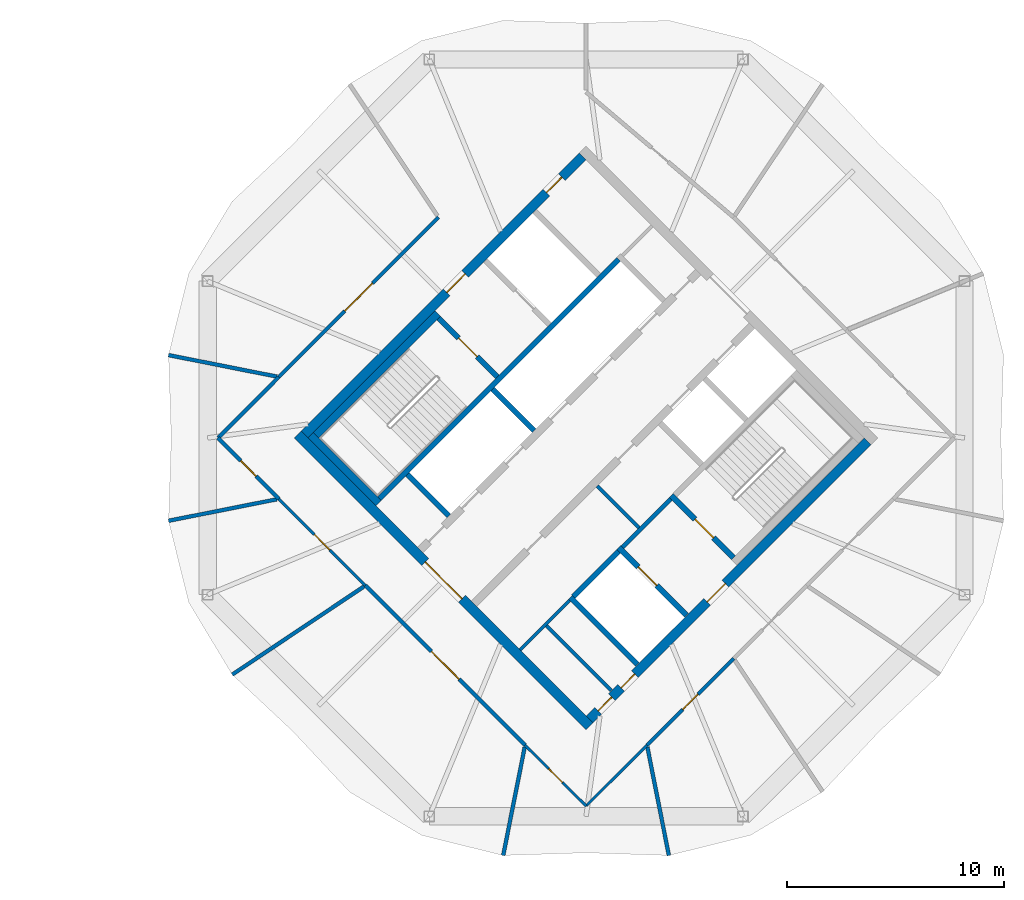
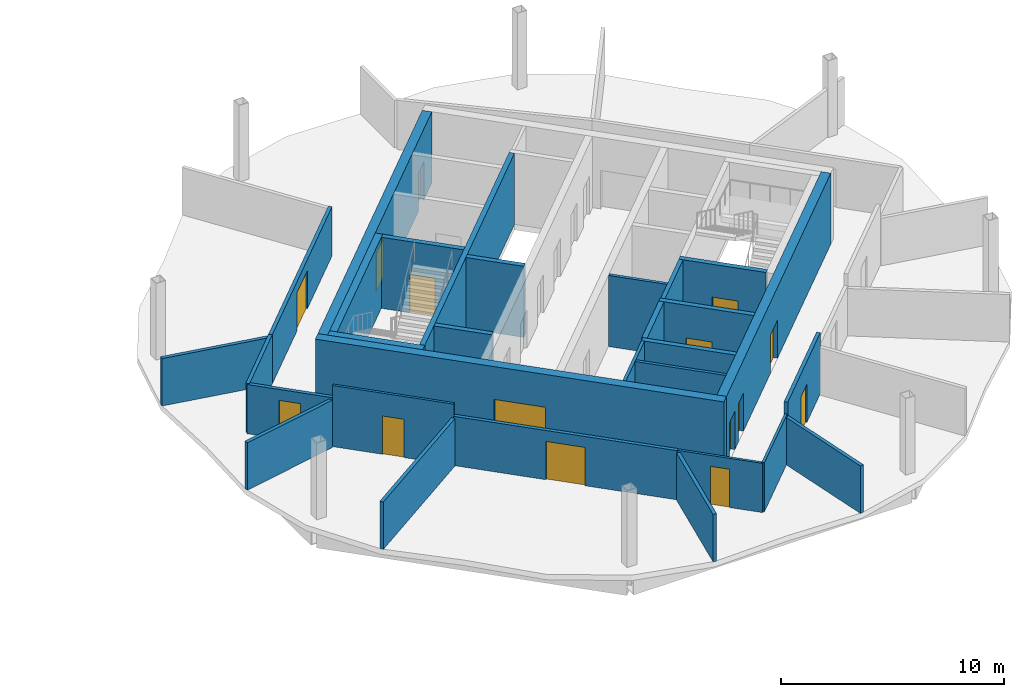
# One storey, part 7 of 10: 30 walls, 15 doors, 15 openings.
"""IFC4 building model written with IfcOpenShell, lengths in metres."""

import ifcopenshell
import ifcopenshell.guid

model = None  # the IFC model being written
_history = None  # IfcOwnerHistory: only IFC2X3 demands one
_inside = {}  # id of a spatial element -> (the spatial element, [elements in it])
_under = {}  # id of a project, library or spatial element -> (it, [spatial elements below it])
_declared = {}  # id of a project -> (the project, [libraries it declares])
_typed = {}  # id of a type object -> (the type object, [elements of that type])
_made_of = {}  # id of a material, layer set ... -> (it, [elements and type objects made of it])


def new_model(schema):
    """Start an empty IFC model of exactly this schema.

    Asked for "IFC4X3", IfcOpenShell would pick the latest addendum, in which some entities
    have other attributes; the version numbers below select the first issue.
    IFC2X3 requires an IfcOwnerHistory on every rooted entity: one is made here for all.
    """
    global model, _history
    if schema == "IFC4X3":
        model = ifcopenshell.file(schema_version=(4, 3, 0, 0))
    else:
        model = ifcopenshell.file(schema=schema)
    _inside.clear()
    _under.clear()
    _declared.clear()
    _typed.clear()
    _made_of.clear()
    _history = None
    if model.schema == "IFC2X3":
        org = make("IfcOrganization", Name="unknown")
        user = make(
            "IfcPersonAndOrganization",
            ThePerson=make("IfcPerson", FamilyName="unknown"),
            TheOrganization=org,
        )
        app = make(
            "IfcApplication",
            ApplicationDeveloper=org,
            Version="unknown",
            ApplicationFullName="unknown",
            ApplicationIdentifier="unknown",
        )
        _history = make(
            "IfcOwnerHistory",
            OwningUser=user,
            OwningApplication=app,
            ChangeAction="ADDED",
            CreationDate=0,
        )
    return model


def make(cls, **values):
    """One entity of the class cls with the attributes given. An attribute that is None is left unset."""
    return model.create_entity(
        cls, **{name: value for name, value in values.items() if value is not None}
    )


def rooted(cls, **values):
    """An entity with a GlobalId (a new one), such as an element, a storey or a relation."""
    return make(cls, GlobalId=ifcopenshell.guid.new(), OwnerHistory=_history, **values)


def si_unit(unit_type, name, prefix=None):
    """IfcSIUnit, for example si_unit("LENGTHUNIT", "METRE", prefix="MILLI")."""
    return make("IfcSIUnit", UnitType=unit_type, Prefix=prefix, Name=name)


def assignment(units):
    """IfcUnitAssignment: the units of a project."""
    return None if units is None else make("IfcUnitAssignment", Units=units)


def point(xyz):
    """IfcCartesianPoint."""
    return None if xyz is None else make("IfcCartesianPoint", Coordinates=xyz)


def direction(xyz):
    """IfcDirection."""
    return None if xyz is None else make("IfcDirection", DirectionRatios=xyz)


def frame(location, z_axis=None, x_axis=None):
    """IfcAxis2Placement3D, a coordinate frame: its origin and axes. An axis left out is left unset."""
    return make(
        "IfcAxis2Placement3D",
        Location=point(location),
        Axis=direction(z_axis),
        RefDirection=direction(x_axis),
    )


def frame_2d(location, x_axis=None):
    """IfcAxis2Placement2D, a coordinate frame in the plane: its origin and x axis."""
    return make(
        "IfcAxis2Placement2D", Location=point(location), RefDirection=direction(x_axis)
    )


def origin():
    """The frame at (0, 0, 0) with its axes left unset."""
    return frame((0.0, 0.0, 0.0))


def place(relative_to, where):
    """IfcLocalPlacement: puts the frame where relative to a parent placement (None: the world)."""
    return make(
        "IfcLocalPlacement", PlacementRelTo=relative_to, RelativePlacement=where
    )


def context(
    kind, dimensions, precision=None, world=None, true_north=None, identifier=None
):
    """IfcGeometricRepresentationContext, for example the 3D "Model" context."""
    return make(
        "IfcGeometricRepresentationContext",
        ContextIdentifier=identifier,
        ContextType=kind,
        CoordinateSpaceDimension=dimensions,
        Precision=precision,
        WorldCoordinateSystem=world,
        TrueNorth=true_north,
    )


def subcontext(parent, identifier, kind, view, scale=None):
    """IfcGeometricRepresentationSubContext, for example "Body" below "Model"."""
    return make(
        "IfcGeometricRepresentationSubContext",
        ContextIdentifier=identifier,
        ContextType=kind,
        ParentContext=parent,
        TargetScale=scale,
        TargetView=view,
    )


def project(units=None, contexts=None):
    """IfcProject with its units and contexts."""
    return rooted(
        "IfcProject",
        Name="project",
        RepresentationContexts=contexts,
        UnitsInContext=assignment(units),
    )


def spatial(cls, under=None, at=None, **own):
    """A site, building, storey or space (cls), placed at a placement, below another one or the project."""
    s = rooted(cls, ObjectPlacement=at, **own)
    if under is not None:
        _under.setdefault(under.id(), (under, []))[1].append(s)
    return s


def profile(cls, at=None, kind="AREA", **sizes):
    """A parametric profile (cls). Its sizes go by their IFC names, for example OverallWidth=200.0."""
    return make(cls, ProfileType=kind, Position=at, **sizes)


def rectangle(**sizes):
    """IfcRectangleProfileDef."""
    return profile("IfcRectangleProfileDef", **sizes)


def extrude(swept, where, along, depth):
    """IfcExtrudedAreaSolid: the profile swept, set in the frame where, extruded along a direction by depth."""
    return make(
        "IfcExtrudedAreaSolid",
        SweptArea=swept,
        Position=where,
        ExtrudedDirection=direction(along),
        Depth=depth,
    )


def shape(context_of_items, identifier, shape_type, items):
    """IfcShapeRepresentation: the items that make up one representation, for example the "Body"."""
    return make(
        "IfcShapeRepresentation",
        ContextOfItems=context_of_items,
        RepresentationIdentifier=identifier,
        RepresentationType=shape_type,
        Items=items,
    )


def material(Name=None, Category=None):
    """IfcMaterial."""
    return make("IfcMaterial", Name=Name, Category=Category)


def layer(
    of_material, thickness, ventilated=None, Name=None, Category=None, Priority=None
):
    """IfcMaterialLayer: one layer of a wall or slab, of a material (None: an air gap)."""
    return make(
        "IfcMaterialLayer",
        Material=of_material,
        LayerThickness=thickness,
        IsVentilated=ventilated,
        Name=Name,
        Category=Category,
        Priority=Priority,
    )


def layer_set(layers, Name=None):
    """IfcMaterialLayerSet."""
    return make("IfcMaterialLayerSet", MaterialLayers=layers, LayerSetName=Name)


def made_of(thing, what):
    """Note that an element or type object is made of a material, layer set ...; save() writes the relation."""
    if what is not None:
        _made_of.setdefault(what.id(), (what, []))[1].append(thing)
    return thing


def type_object(cls, material=None, **own):
    """A type object (cls), such as IfcWallType, which elements share."""
    return made_of(rooted(cls, **own), material)


def element(
    cls,
    number,
    at=None,
    inside=None,
    cuts=None,
    type_object=None,
    material=None,
    context=None,
    identifier="Body",
    shape_type=None,
    held_by="IfcProductDefinitionShape",
    body=None,
    shapes=None,
    **own,
):
    """One element of the class cls, such as IfcWall. Its Tag is "e" and its number.

    at: its placement. inside: the storey or other place that contains it. cuts: it is an
    opening in that element (IfcRelVoidsElement). A single representation is given by context,
    identifier, shape_type and body (its items); several are given by shapes. held_by: the class
    of the entity that holds the representations. save() writes the other relations.
    """
    e = rooted(cls, Tag="e%d" % number, ObjectPlacement=at, **own)
    if body is not None:
        shapes = [shape(context, identifier, shape_type, body)]
    if shapes is not None:
        e.Representation = make(held_by, Representations=shapes)
    if inside is not None:
        _inside.setdefault(inside.id(), (inside, []))[1].append(e)
    if cuts is not None:
        rooted(
            "IfcRelVoidsElement", RelatingBuildingElement=cuts, RelatedOpeningElement=e
        )
    if type_object is not None:
        _typed.setdefault(type_object.id(), (type_object, []))[1].append(e)
    return made_of(e, material)


def fill(opening, filler):
    """IfcRelFillsElement: the door or window that sits in an opening."""
    return rooted(
        "IfcRelFillsElement",
        RelatingOpeningElement=opening,
        RelatedBuildingElement=filler,
    )


def aggregate(whole, parts):
    """IfcRelAggregates: a whole, such as a stair, and the parts it consists of."""
    return rooted("IfcRelAggregates", RelatingObject=whole, RelatedObjects=parts)


def save(model, path):
    """Write the relations noted so far, then the file.

    IfcRelAggregates (storeys below a building ...), IfcRelContainedInSpatialStructure (elements
    in a storey), IfcRelDefinesByType, IfcRelAssociatesMaterial and IfcRelDeclares: one each for
    every whole, place, type object, material and project.
    """
    for whole, parts in _under.values():
        aggregate(whole, parts)
    for where, things in _inside.values():
        rooted(
            "IfcRelContainedInSpatialStructure",
            RelatedElements=things,
            RelatingStructure=where,
        )
    for kind, things in _typed.values():
        rooted("IfcRelDefinesByType", RelatedObjects=things, RelatingType=kind)
    for what, things in _made_of.values():
        rooted("IfcRelAssociatesMaterial", RelatedObjects=things, RelatingMaterial=what)
    for by, libraries in _declared.values():
        rooted("IfcRelDeclares", RelatingContext=by, RelatedDefinitions=libraries)
    model.write(path)


model = new_model("IFC4")

# Units and contexts
model_context = context("Model", 3, precision=1e-05, world=origin(), true_north=direction((0.0, 1.0)))
body_context = subcontext(model_context, "Body", "Model", "MODEL_VIEW")
ifc_project = project(units=[si_unit("LENGTHUNIT", "METRE"), si_unit("AREAUNIT", "SQUARE_METRE"), si_unit("VOLUMEUNIT", "CUBIC_METRE"), si_unit("PLANEANGLEUNIT", "RADIAN"), si_unit("MASSUNIT", "GRAM", prefix="KILO")], contexts=[model_context])

# Site, building, storey
site_placement = place(None, origin())
site = spatial("IfcSite", under=ifc_project, at=site_placement, CompositionType="ELEMENT")
building_placement = place(site_placement, origin())
building = spatial("IfcBuilding", under=site, at=building_placement, Name="Ogive Gate Towers", CompositionType="ELEMENT")
storey_placement = place(building_placement, frame((0.0, 0.0, 260.39990234375)))
storey = spatial("IfcBuildingStorey", under=building, at=storey_placement, Name="L61", CompositionType="ELEMENT", Elevation=260.39990234375)

# Walls
ifc_material_1 = material(Name="Gypsum board acoustic partition")
ifc_layer_1 = layer(ifc_material_1, 0.175048828125)
ifc_layer_set_1 = layer_set([ifc_layer_1], Name="Acoustic partition 175")
wall_type_1 = type_object("IfcWallType", Name="Acoustic partition 175", PredefinedType="PARTITIONING", material=ifc_layer_set_1)
for number, where, z_axis, x_axis, name in (
    (1, (16.775390625, 3.814697265625, 0.0), (0.0, 0.0, 1.0), (0.980874659821, -0.194640442152, 0.0), "Partition T2-L61-005"),
    (2, (16.775390625, -3.814697265625, 0.0), (0.0, 0.0, 1.0), (0.980874659821, 0.194640442152, 0.0), "Partition T2-L61-006"),
):
    element("IfcWall", number, at=place(storey_placement, frame(where, z_axis=z_axis, x_axis=x_axis)), inside=storey, type_object=wall_type_1, Name=name, PredefinedType="PARTITIONING", context=body_context, shape_type="SweptSolid", body=[
        extrude(rectangle(XDim=5.09130859375, YDim=0.175048828125, at=frame_2d((2.545654296875, 0.0))), origin(), (0.0, 0.0, 1.0), 2.60009765625),
    ])
wall_1_placement = place(storey_placement, frame((19.708740234375, -10.896484375, 0.0), z_axis=(0.0, 0.0, 1.0), x_axis=(0.83120450459, 0.55596678997, 0.0)))
element("IfcWall", 3, at=wall_1_placement, inside=storey, type_object=wall_type_1, Name="Partition T2-L61-007", PredefinedType="PARTITIONING", context=body_context, shape_type="SweptSolid", body=[
    extrude(rectangle(XDim=7.291259765625, YDim=0.175048828125, at=frame_2d((3.6455078125, 0.0))), origin(), (0.0, 0.0, 1.0), 2.60009765625),
])
for number, where, z_axis, x_axis, name in (
    (4, (32.185302734375, -19.224609375, 0.0), (0.0, 0.0, 1.0), (0.194640442152, 0.980874659821, 0.0), "Partition T2-L61-008"),
    (5, (39.814697265625, -19.224609375, 0.0), (0.0, 0.0, 1.0), (-0.194640442152, 0.980874659821, 0.0), "Partition T2-L61-009"),
):
    element("IfcWall", number, at=place(storey_placement, frame(where, z_axis=z_axis, x_axis=x_axis)), inside=storey, type_object=wall_type_1, Name=name, PredefinedType="PARTITIONING", context=body_context, shape_type="SweptSolid", body=[
        extrude(rectangle(XDim=5.09130859375, YDim=0.175048828125, at=frame_2d((2.545654296875, 0.0))), origin(), (0.0, 0.0, 1.0), 2.60009765625),
    ])

# Wall, opening, door
wall_2_placement = place(storey_placement, frame((29.205810546875, 10.157958984375, 0.0), z_axis=(0.0, 0.0, 1.0), x_axis=(-0.707071553548, -0.70714200707, 0.0)))
wall_2 = element("IfcWall", 6, at=wall_2_placement, inside=storey, type_object=wall_type_1, Name="Partition T2-L61-019", PredefinedType="PARTITIONING", context=body_context, shape_type="SweptSolid", body=[
    extrude(rectangle(XDim=10.395751953125, YDim=0.175048828125, at=frame_2d((5.19775390625, 0.0))), origin(), (0.0, 0.0, 1.0), 2.7001953125),
])
opening_1_placement = place(wall_2_placement, frame((4.298095703125, 0.0, 0.0)))
opening_1 = element("IfcOpeningElement", 7, at=opening_1_placement, cuts=wall_2, Name="Opening T2-L61-D06", PredefinedType="OPENING", context=body_context, shape_type="SweptSolid", body=[
    extrude(rectangle(XDim=1.800048828125, YDim=2.10009765625, at=frame_2d((0.89990234375, 1.050048828125))), frame((0.0, 0.09765625, 0.0), z_axis=(0.0, -1.0, 0.0), x_axis=(1.0, 0.0, 0.0)), (0.0, 0.0, 1.0), 0.195068359375),
])
ifc_material_2 = material(Name="Timber door", Category="wood")
door_type_1 = type_object("IfcDoorType", Name="Door pair 1800", OperationType="NOTDEFINED", PredefinedType="DOOR", material=ifc_material_2)
door_1_placement = place(opening_1_placement, origin())
door_1 = element("IfcDoor", 8, at=door_1_placement, inside=storey, type_object=door_type_1, Name="Door T2-L61-D06", OperationType="DOUBLE_DOOR_DOUBLE_SWING", OverallHeight=2.10009765625, OverallWidth=1.800048828125, PredefinedType="DOOR", context=body_context, shape_type="SweptSolid", body=[
    extrude(rectangle(XDim=1.800048828125, YDim=2.10009765625, at=frame_2d((0.89990234375, 1.050048828125))), frame((0.0, 0.02490234375, 0.0), z_axis=(0.0, -1.0, 0.0), x_axis=(1.0, 0.0, 0.0)), (0.0, 0.0, 1.0), 0.050048828125),
])
fill(opening_1, door_1)

wall_3_placement = place(storey_placement, frame((19.0576171875, 0.0, 0.0), z_axis=(0.0, 0.0, 1.0), x_axis=(0.705966114567, -0.708245610705, 0.0)))
wall_3 = element("IfcWall", 9, at=wall_3_placement, inside=storey, type_object=wall_type_1, Name="Partition T2-L61-020", PredefinedType="PARTITIONING", context=body_context, shape_type="SweptSolid", body=[
    extrude(rectangle(XDim=3.962890625, YDim=0.175048828125, at=frame_2d((1.9814453125, 0.0))), origin(), (0.0, 0.0, 1.0), 2.7001953125),
])
opening_2_placement = place(wall_3_placement, frame((1.48095703125, 0.0, 0.0)))
opening_2 = element("IfcOpeningElement", 10, at=opening_2_placement, cuts=wall_3, Name="Opening T2-L61-D07", PredefinedType="OPENING", context=body_context, shape_type="SweptSolid", body=[
    extrude(rectangle(XDim=1.0, YDim=2.10009765625, at=frame_2d((0.5, 1.050048828125))), frame((0.0, 0.09765625, 0.0), z_axis=(0.0, -1.0, 0.0), x_axis=(1.0, 0.0, 0.0)), (0.0, 0.0, 1.0), 0.195068359375),
])
door_type_2 = type_object("IfcDoorType", Name="Door 1000", OperationType="NOTDEFINED", PredefinedType="DOOR", material=ifc_material_2)
door_2_placement = place(opening_2_placement, origin())
door_2 = element("IfcDoor", 11, at=door_2_placement, inside=storey, type_object=door_type_2, Name="Door T2-L61-D07", OperationType="SINGLE_SWING_RIGHT", OverallHeight=2.10009765625, OverallWidth=1.0, PredefinedType="DOOR", context=body_context, shape_type="SweptSolid", body=[
    extrude(rectangle(XDim=1.0, YDim=2.10009765625, at=frame_2d((0.5, 1.050048828125))), frame((0.0, 0.02490234375, 0.0), z_axis=(0.0, -1.0, 0.0), x_axis=(1.0, 0.0, 0.0)), (0.0, 0.0, 1.0), 0.050048828125),
])
fill(opening_2, door_2)

# Wall
wall_4_placement = place(storey_placement, frame((21.855224609375, 2.806640625, 0.0), z_axis=(0.0, 0.0, 1.0), x_axis=(-0.705966114567, -0.708245610705, 0.0)))
element("IfcWall", 12, at=wall_4_placement, inside=storey, type_object=wall_type_1, Name="Partition T2-L61-021", PredefinedType="PARTITIONING", context=body_context, shape_type="SweptSolid", body=[
    extrude(rectangle(XDim=3.962890625, YDim=0.175048828125, at=frame_2d((1.9814453125, 0.0))), origin(), (0.0, 0.0, 1.0), 2.7001953125),
])

# Wall, opening, door
wall_5_placement = place(storey_placement, frame((25.842041015625, -6.794189453125, 0.0), z_axis=(0.0, 0.0, 1.0), x_axis=(0.70714200707, -0.707071553548, 0.0)))
wall_5 = element("IfcWall", 13, at=wall_5_placement, inside=storey, type_object=wall_type_1, Name="Partition T2-L61-023", PredefinedType="PARTITIONING", context=body_context, shape_type="SweptSolid", body=[
    extrude(rectangle(XDim=10.395751953125, YDim=0.175048828125, at=frame_2d((5.19775390625, 0.0))), origin(), (0.0, 0.0, 1.0), 2.7001953125),
])
opening_3_placement = place(wall_5_placement, frame((4.298095703125, 0.0, 0.0)))
opening_3 = element("IfcOpeningElement", 14, at=opening_3_placement, cuts=wall_5, Name="Opening T2-L61-D09", PredefinedType="OPENING", context=body_context, shape_type="SweptSolid", body=[
    extrude(rectangle(XDim=1.800048828125, YDim=2.10009765625, at=frame_2d((0.89990234375, 1.050048828125))), frame((0.0, 0.09765625, 0.0), z_axis=(0.0, -1.0, 0.0), x_axis=(1.0, 0.0, 0.0)), (0.0, 0.0, 1.0), 0.195068359375),
])
door_3_placement = place(opening_3_placement, origin())
door_3 = element("IfcDoor", 15, at=door_3_placement, inside=storey, type_object=door_type_1, Name="Door T2-L61-D09", OperationType="DOUBLE_DOOR_DOUBLE_SWING", OverallHeight=2.10009765625, OverallWidth=1.800048828125, PredefinedType="DOOR", context=body_context, shape_type="SweptSolid", body=[
    extrude(rectangle(XDim=1.800048828125, YDim=2.10009765625, at=frame_2d((0.89990234375, 1.050048828125))), frame((0.0, 0.02490234375, 0.0), z_axis=(0.0, -1.0, 0.0), x_axis=(1.0, 0.0, 0.0)), (0.0, 0.0, 1.0), 0.050048828125),
])
fill(opening_3, door_3)

wall_6_placement = place(storey_placement, frame((38.806640625, -14.144775390625, 0.0), z_axis=(0.0, 0.0, 1.0), x_axis=(0.707171723871, 0.707041832537, 0.0)))
wall_6 = element("IfcWall", 16, at=wall_6_placement, inside=storey, type_object=wall_type_1, Name="Partition T2-L61-026", PredefinedType="PARTITIONING", context=body_context, shape_type="SweptSolid", body=[
    extrude(rectangle(XDim=5.638671875, YDim=0.175048828125, at=frame_2d((2.8193359375, 0.0))), origin(), (0.0, 0.0, 1.0), 3.35009765625),
])
opening_4_placement = place(wall_6_placement, frame((2.319091796875, 0.0, 0.0)))
opening_4 = element("IfcOpeningElement", 17, at=opening_4_placement, cuts=wall_6, Name="Opening T2-L61-D11", PredefinedType="OPENING", context=body_context, shape_type="SweptSolid", body=[
    extrude(rectangle(XDim=1.0, YDim=2.10009765625, at=frame_2d((0.5, 1.050048828125))), frame((0.0, 0.09765625, 0.0), z_axis=(0.0, -1.0, 0.0), x_axis=(1.0, 0.0, 0.0)), (0.0, 0.0, 1.0), 0.195068359375),
])
door_4_placement = place(opening_4_placement, origin())
door_4 = element("IfcDoor", 18, at=door_4_placement, inside=storey, type_object=door_type_2, Name="Door T2-L61-D11", OperationType="SINGLE_SWING_RIGHT", OverallHeight=2.10009765625, OverallWidth=1.0, PredefinedType="DOOR", context=body_context, shape_type="SweptSolid", body=[
    extrude(rectangle(XDim=1.0, YDim=2.10009765625, at=frame_2d((0.5, 1.050048828125))), frame((0.0, 0.02490234375, 0.0), z_axis=(0.0, -1.0, 0.0), x_axis=(1.0, 0.0, 0.0)), (0.0, 0.0, 1.0), 0.050048828125),
])
fill(opening_4, door_4)

# Wall
ifc_material_3 = material(Name="Masonry blockwork", Category="masonry")
ifc_layer_2 = layer(ifc_material_3, 0.199951171875)
ifc_layer_set_2 = layer_set([ifc_layer_2], Name="Blockwork wall 200 mm")
wall_type_2 = type_object("IfcWallType", Name="Blockwork wall 200 mm", PredefinedType="PARTITIONING", material=ifc_layer_set_2)
wall_7_placement = place(storey_placement, frame((37.679443359375, -5.0380859375, 0.0), z_axis=(0.0, 0.0, 1.0), x_axis=(0.707106781187, 0.707106781187, 0.0)))
element("IfcWall", 19, at=wall_7_placement, inside=storey, type_object=wall_type_2, Name="T2 L61 Blockwork wall 200 mm", PredefinedType="PARTITIONING", context=body_context, shape_type="SweptSolid", body=[
    extrude(rectangle(XDim=3.14990234375, YDim=0.199951171875, at=frame_2d((1.574951171875, 0.0))), origin(), (0.0, 0.0, 1.0), 3.900146484375),
])

# Wall, openings, doors
ifc_material_4 = material(Name="Concrete C60/75", Category="concrete")
ifc_layer_3 = layer(ifc_material_4, 0.449951171875)
ifc_layer_set_3 = layer_set([ifc_layer_3], Name="Core wall 450 mm")
wall_type_3 = type_object("IfcWallType", Name="Core wall 450 mm", PredefinedType="SHEAR", material=ifc_layer_set_3)
wall_8_placement = place(storey_placement, frame((36.1591796875, -12.957763671875, 0.0), z_axis=(0.0, 0.0, 1.0), x_axis=(0.707106781187, 0.707106781187, 0.0)))
wall_8 = element("IfcWall", 20, at=wall_8_placement, inside=storey, type_object=wall_type_3, Name="T2 L61 Core wall 450 mm", PredefinedType="SHEAR", context=body_context, shape_type="SweptSolid", body=[
    extrude(rectangle(XDim=18.099853515625, YDim=0.449951171875, at=frame_2d((9.0498046875, 0.0))), origin(), (0.0, 0.0, 1.0), 3.900146484375),
])
opening_5_placement = place(wall_8_placement, frame((7.64990234375, 0.0, 0.0)))
opening_5 = element("IfcOpeningElement", 21, at=opening_5_placement, cuts=wall_8, Name="Opening KD-T2-L61-19", PredefinedType="OPENING", context=body_context, shape_type="SweptSolid", body=[
    extrude(rectangle(XDim=1.199951171875, YDim=2.10009765625, at=frame_2d((0.60009765625, 1.050048828125))), frame((0.0, 0.23486328125, 0.0), z_axis=(0.0, -1.0, 0.0), x_axis=(1.0, 0.0, 0.0)), (0.0, 0.0, 1.0), 0.469970703125),
])
opening_6_placement = place(wall_8_placement, frame((0.550048828125, 0.0, 0.0)))
opening_6 = element("IfcOpeningElement", 22, at=opening_6_placement, cuts=wall_8, Name="Opening KD-T2-L61-21", PredefinedType="OPENING", context=body_context, shape_type="SweptSolid", body=[
    extrude(rectangle(XDim=0.89990234375, YDim=2.10009765625, at=frame_2d((0.449951171875, 1.050048828125))), frame((0.0, 0.23486328125, 0.0), z_axis=(0.0, -1.0, 0.0), x_axis=(1.0, 0.0, 0.0)), (0.0, 0.0, 1.0), 0.469970703125),
])
opening_7_placement = place(wall_8_placement, frame((2.050048828125, 0.0, 0.0)))
opening_7 = element("IfcOpeningElement", 23, at=opening_7_placement, cuts=wall_8, Name="Opening KD-T2-L61-22", PredefinedType="OPENING", context=body_context, shape_type="SweptSolid", body=[
    extrude(rectangle(XDim=0.89990234375, YDim=2.10009765625, at=frame_2d((0.449951171875, 1.050048828125))), frame((0.0, 0.23486328125, 0.0), z_axis=(0.0, -1.0, 0.0), x_axis=(1.0, 0.0, 0.0)), (0.0, 0.0, 1.0), 0.469970703125),
])
door_type_3 = type_object("IfcDoorType", Name="Core WC door 900 x 2100", OperationType="NOTDEFINED", PredefinedType="DOOR", material=ifc_material_2)
door_5_placement = place(opening_6_placement, origin())
door_5 = element("IfcDoor", 24, at=door_5_placement, inside=storey, type_object=door_type_3, Name="T2 L61 Core door", OperationType="SINGLE_SWING_RIGHT", OverallHeight=2.10009765625, OverallWidth=0.89990234375, PredefinedType="DOOR", context=body_context, shape_type="SweptSolid", body=[
    extrude(rectangle(XDim=0.89990234375, YDim=2.10009765625, at=frame_2d((0.449951171875, 1.050048828125))), frame((0.0, 0.02490234375, 0.0), z_axis=(0.0, -1.0, 0.0), x_axis=(1.0, 0.0, 0.0)), (0.0, 0.0, 1.0), 0.050048828125),
])
fill(opening_6, door_5)
door_6_placement = place(opening_7_placement, origin())
door_6 = element("IfcDoor", 25, at=door_6_placement, inside=storey, type_object=door_type_3, Name="T2 L61 Core door", OperationType="SINGLE_SWING_LEFT", OverallHeight=2.10009765625, OverallWidth=0.89990234375, PredefinedType="DOOR", context=body_context, shape_type="SweptSolid", body=[
    extrude(rectangle(XDim=0.89990234375, YDim=2.10009765625, at=frame_2d((0.449951171875, 1.050048828125))), frame((0.0, 0.02490234375, 0.0), z_axis=(0.0, -1.0, 0.0), x_axis=(1.0, 0.0, 0.0)), (0.0, 0.0, 1.0), 0.050048828125),
])
fill(opening_7, door_6)
ifc_material_5 = material(Name="Steel fire door", Category="steel")
door_type_4 = type_object("IfcDoorType", Name="Core door FD60S 1200 x 2100", OperationType="NOTDEFINED", PredefinedType="DOOR", material=ifc_material_5)
door_7_placement = place(opening_5_placement, origin())
door_7 = element("IfcDoor", 26, at=door_7_placement, inside=storey, type_object=door_type_4, Name="T2 L61 Fire-fighting lobby door", OperationType="SINGLE_SWING_RIGHT", OverallHeight=2.10009765625, OverallWidth=1.199951171875, PredefinedType="DOOR", context=body_context, shape_type="SweptSolid", body=[
    extrude(rectangle(XDim=1.199951171875, YDim=2.10009765625, at=frame_2d((0.60009765625, 1.050048828125))), frame((0.0, 0.02490234375, 0.0), z_axis=(0.0, -1.0, 0.0), x_axis=(1.0, 0.0, 0.0)), (0.0, 0.0, 1.0), 0.050048828125),
])
fill(opening_5, door_7)

wall_9_placement = place(storey_placement, frame((23.042236328125, 0.1591796875, 0.0), z_axis=(0.0, 0.0, 1.0), x_axis=(0.707106781187, 0.707106781187, 0.0)))
wall_9 = element("IfcWall", 27, at=wall_9_placement, inside=storey, type_object=wall_type_3, Name="T2 L61 Core wall 450 mm", PredefinedType="SHEAR", context=body_context, shape_type="SweptSolid", body=[
    extrude(rectangle(XDim=18.099853515625, YDim=0.449951171875, at=frame_2d((9.0498046875, 0.0))), origin(), (0.0, 0.0, 1.0), 3.900146484375),
])
opening_8_placement = place(wall_9_placement, frame((9.25, 0.0, 0.0)))
opening_8 = element("IfcOpeningElement", 28, at=opening_8_placement, cuts=wall_9, Name="Opening KD-T2-L61-18", PredefinedType="OPENING", context=body_context, shape_type="SweptSolid", body=[
    extrude(rectangle(XDim=1.199951171875, YDim=2.10009765625, at=frame_2d((0.60009765625, 1.050048828125))), frame((0.0, 0.23486328125, 0.0), z_axis=(0.0, -1.0, 0.0), x_axis=(1.0, 0.0, 0.0)), (0.0, 0.0, 1.0), 0.469970703125),
])
opening_9_placement = place(wall_9_placement, frame((15.75, 0.0, 0.0)))
opening_9 = element("IfcOpeningElement", 29, at=opening_9_placement, cuts=wall_9, Name="Opening KD-T2-L61-20", PredefinedType="OPENING", context=body_context, shape_type="SweptSolid", body=[
    extrude(rectangle(XDim=1.0, YDim=2.10009765625, at=frame_2d((0.5, 1.050048828125))), frame((0.0, 0.23486328125, 0.0), z_axis=(0.0, -1.0, 0.0), x_axis=(1.0, 0.0, 0.0)), (0.0, 0.0, 1.0), 0.469970703125),
])
door_type_5 = type_object("IfcDoorType", Name="Accessible WC door 1000 x 2100", OperationType="NOTDEFINED", PredefinedType="DOOR", material=ifc_material_2)
door_8_placement = place(opening_9_placement, origin())
door_8 = element("IfcDoor", 30, at=door_8_placement, inside=storey, type_object=door_type_5, Name="T2 L61 Core door", OperationType="SINGLE_SWING_LEFT", OverallHeight=2.10009765625, OverallWidth=1.0, PredefinedType="DOOR", context=body_context, shape_type="SweptSolid", body=[
    extrude(rectangle(XDim=1.0, YDim=2.10009765625, at=frame_2d((0.5, 1.050048828125))), frame((0.0, 0.02490234375, 0.0), z_axis=(0.0, -1.0, 0.0), x_axis=(1.0, 0.0, 0.0)), (0.0, 0.0, 1.0), 0.050048828125),
])
fill(opening_9, door_8)
door_9_placement = place(opening_8_placement, origin())
door_9 = element("IfcDoor", 31, at=door_9_placement, inside=storey, type_object=door_type_4, Name="T2 L61 Fire-fighting lobby door", OperationType="SINGLE_SWING_LEFT", OverallHeight=2.10009765625, OverallWidth=1.199951171875, PredefinedType="DOOR", context=body_context, shape_type="SweptSolid", body=[
    extrude(rectangle(XDim=1.199951171875, YDim=2.10009765625, at=frame_2d((0.60009765625, 1.050048828125))), frame((0.0, 0.02490234375, 0.0), z_axis=(0.0, -1.0, 0.0), x_axis=(1.0, 0.0, 0.0)), (0.0, 0.0, 1.0), 0.050048828125),
])
fill(opening_8, door_9)

# Wall, opening, door
wall_10_placement = place(storey_placement, frame((36.1591796875, -13.27587890625, 0.0), z_axis=(0.0, 0.0, 1.0), x_axis=(-0.707106781187, 0.707106781187, 0.0)))
wall_10 = element("IfcWall", 32, at=wall_10_placement, inside=storey, type_object=wall_type_3, Name="T2 L61 Core wall 450 mm", PredefinedType="SHEAR", context=body_context, shape_type="SweptSolid", body=[
    extrude(rectangle(XDim=19.0, YDim=0.449951171875, at=frame_2d((9.5, 0.0))), origin(), (0.0, 0.0, 1.0), 3.900146484375),
])
opening_10_placement = place(wall_10_placement, frame((8.300048828125, 0.0, 0.0)))
opening_10 = element("IfcOpeningElement", 33, at=opening_10_placement, cuts=wall_10, Name="Opening KD-T2-L61-01", PredefinedType="OPENING", context=body_context, shape_type="SweptSolid", body=[
    extrude(rectangle(XDim=2.39990234375, YDim=2.10009765625, at=frame_2d((1.199951171875, 1.050048828125))), frame((0.0, 0.23486328125, 0.0), z_axis=(0.0, -1.0, 0.0), x_axis=(1.0, 0.0, 0.0)), (0.0, 0.0, 1.0), 0.469970703125),
])
door_type_6 = type_object("IfcDoorType", Name="Core double door FD60S 2400 x 2100", OperationType="DOUBLE_DOOR_SINGLE_SWING", PredefinedType="DOOR", material=ifc_material_5)
door_10_placement = place(opening_10_placement, origin())
door_10 = element("IfcDoor", 34, at=door_10_placement, inside=storey, type_object=door_type_6, Name="T2 L61 Core door double", OperationType="DOUBLE_DOOR_SINGLE_SWING", OverallHeight=2.10009765625, OverallWidth=2.39990234375, PredefinedType="DOOR", context=body_context, shape_type="SweptSolid", body=[
    extrude(rectangle(XDim=2.39990234375, YDim=2.10009765625, at=frame_2d((1.199951171875, 1.050048828125))), frame((0.0, 0.02490234375, 0.0), z_axis=(0.0, -1.0, 0.0), x_axis=(1.0, 0.0, 0.0)), (0.0, 0.0, 1.0), 0.050048828125),
])
fill(opening_10, door_10)

ifc_material_6 = material(Name="Gypsum board partition")
ifc_layer_4 = layer(ifc_material_6, 0.125)
ifc_layer_set_4 = layer_set([ifc_layer_4], Name="Partition 125")
wall_type_4 = type_object("IfcWallType", Name="Partition 125", PredefinedType="PARTITIONING", material=ifc_layer_set_4)
wall_11_placement = place(storey_placement, frame((21.855224609375, -2.806640625, 0.0), z_axis=(0.0, 0.0, 1.0), x_axis=(0.707041832537, -0.707171723871, 0.0)))
wall_11 = element("IfcWall", 35, at=wall_11_placement, inside=storey, type_object=wall_type_4, Name="Partition T2-L61-022", PredefinedType="PARTITIONING", context=body_context, shape_type="SweptSolid", body=[
    extrude(rectangle(XDim=5.638671875, YDim=0.125, at=frame_2d((2.8193359375, 0.0))), origin(), (0.0, 0.0, 1.0), 3.35009765625),
])
opening_11_placement = place(wall_11_placement, frame((2.319091796875, 0.0, 0.0)))
opening_11 = element("IfcOpeningElement", 36, at=opening_11_placement, cuts=wall_11, Name="Opening T2-L61-D08", PredefinedType="OPENING", context=body_context, shape_type="SweptSolid", body=[
    extrude(rectangle(XDim=1.0, YDim=2.10009765625, at=frame_2d((0.5, 1.050048828125))), frame((0.0, 0.072509765625, 0.0), z_axis=(0.0, -1.0, 0.0), x_axis=(1.0, 0.0, 0.0)), (0.0, 0.0, 1.0), 0.14501953125),
])
door_11_placement = place(opening_11_placement, origin())
door_11 = element("IfcDoor", 37, at=door_11_placement, inside=storey, type_object=door_type_2, Name="Door T2-L61-D08", OperationType="SINGLE_SWING_LEFT", OverallHeight=2.10009765625, OverallWidth=1.0, PredefinedType="DOOR", context=body_context, shape_type="SweptSolid", body=[
    extrude(rectangle(XDim=1.0, YDim=2.10009765625, at=frame_2d((0.5, 1.050048828125))), frame((0.0, 0.02490234375, 0.0), z_axis=(0.0, -1.0, 0.0), x_axis=(1.0, 0.0, 0.0)), (0.0, 0.0, 1.0), 0.050048828125),
])
fill(opening_11, door_11)

wall_12_placement = place(storey_placement, frame((33.193359375, -14.144775390625, 0.0), z_axis=(0.0, 0.0, 1.0), x_axis=(0.708245610705, -0.705966114567, 0.0)))
wall_12 = element("IfcWall", 38, at=wall_12_placement, inside=storey, type_object=wall_type_4, Name="Partition T2-L61-024", PredefinedType="PARTITIONING", context=body_context, shape_type="SweptSolid", body=[
    extrude(rectangle(XDim=3.962890625, YDim=0.125, at=frame_2d((1.9814453125, 0.0))), origin(), (0.0, 0.0, 1.0), 2.7001953125),
])
opening_12_placement = place(wall_12_placement, frame((1.531005859375, 0.0, 0.0)))
opening_12 = element("IfcOpeningElement", 39, at=opening_12_placement, cuts=wall_12, Name="Opening T2-L61-D10", PredefinedType="OPENING", context=body_context, shape_type="SweptSolid", body=[
    extrude(rectangle(XDim=0.89990234375, YDim=2.10009765625, at=frame_2d((0.449951171875, 1.050048828125))), frame((0.0, 0.072509765625, 0.0), z_axis=(0.0, -1.0, 0.0), x_axis=(1.0, 0.0, 0.0)), (0.0, 0.0, 1.0), 0.14501953125),
])
door_type_7 = type_object("IfcDoorType", Name="Door 900", OperationType="NOTDEFINED", PredefinedType="DOOR", material=ifc_material_2)
door_12_placement = place(opening_12_placement, origin())
door_12 = element("IfcDoor", 40, at=door_12_placement, inside=storey, type_object=door_type_7, Name="Door T2-L61-D10", OperationType="SINGLE_SWING_LEFT", OverallHeight=2.10009765625, OverallWidth=0.89990234375, PredefinedType="DOOR", context=body_context, shape_type="SweptSolid", body=[
    extrude(rectangle(XDim=0.89990234375, YDim=2.10009765625, at=frame_2d((0.449951171875, 1.050048828125))), frame((0.0, 0.02490234375, 0.0), z_axis=(0.0, -1.0, 0.0), x_axis=(1.0, 0.0, 0.0)), (0.0, 0.0, 1.0), 0.050048828125),
])
fill(opening_12, door_12)

# Walls
wall_13_placement = place(storey_placement, frame((36.0, -16.9423828125, 0.0), z_axis=(0.0, 0.0, 1.0), x_axis=(0.708245610705, 0.705966114567, 0.0)))
element("IfcWall", 41, at=wall_13_placement, inside=storey, type_object=wall_type_4, Name="Partition T2-L61-025", PredefinedType="PARTITIONING", context=body_context, shape_type="SweptSolid", body=[
    extrude(rectangle(XDim=3.962890625, YDim=0.125, at=frame_2d((1.9814453125, 0.0))), origin(), (0.0, 0.0, 1.0), 2.7001953125),
])
ifc_layer_5 = layer(ifc_material_6, 0.14990234375)
ifc_layer_set_5 = layer_set([ifc_layer_5], Name="Room partition 150 mm")
wall_type_5 = type_object("IfcWallType", Name="Room partition 150 mm", PredefinedType="PARTITIONING", material=ifc_layer_set_5)
wall_14_placement = place(storey_placement, frame((32.95947265625, -9.758056640625, 0.0), z_axis=(0.0, 0.0, 1.0), x_axis=(0.707144631829, 0.707068928518, 0.0)))
element("IfcWall", 42, at=wall_14_placement, inside=storey, type_object=wall_type_5, Name="T2 L61 Room partition 150 mm", PredefinedType="PARTITIONING", context=body_context, shape_type="SweptSolid", body=[
    extrude(rectangle(XDim=3.224853515625, YDim=0.14990234375, at=frame_2d((1.6123046875, 0.0))), origin(), (0.0, 0.0, 1.0), 3.900146484375),
])
wall_15_placement = place(storey_placement, frame((37.166748046875, -11.6318359375, 0.0), z_axis=(0.0, 0.0, 1.0), x_axis=(-0.707106781187, 0.707106781187, 0.0)))
element("IfcWall", 43, at=wall_15_placement, inside=storey, type_object=wall_type_5, Name="T2 L61 Room partition 150 mm", PredefinedType="PARTITIONING", context=body_context, shape_type="SweptSolid", body=[
    extrude(rectangle(XDim=4.22509765625, YDim=0.14990234375, at=frame_2d((2.112548828125, 0.0))), origin(), (0.0, 0.0, 1.0), 3.900146484375),
])
wall_16_placement = place(storey_placement, frame((38.439453125, -4.13671875, 0.0), z_axis=(0.0, 0.0, 1.0), x_axis=(-0.707061983646, 0.707151575889, 0.0)))
element("IfcWall", 44, at=wall_16_placement, inside=storey, type_object=wall_type_5, Name="T2 L61 Room partition 150 mm", PredefinedType="PARTITIONING", context=body_context, shape_type="SweptSolid", body=[
    extrude(rectangle(XDim=2.72509765625, YDim=0.14990234375, at=frame_2d((1.362548828125, 0.0))), origin(), (0.0, 0.0, 1.0), 3.900146484375),
])
ifc_layer_6 = layer(ifc_material_4, 0.25)
ifc_layer_set_6 = layer_set([ifc_layer_6], Name="Shaft wall 250 mm")
wall_type_6 = type_object("IfcWallType", Name="Shaft wall 250 mm", PredefinedType="SHEAR", material=ifc_layer_set_6)
wall_17_placement = place(storey_placement, frame((35.41650390625, -7.30078125, 0.0), z_axis=(0.0, 0.0, 1.0), x_axis=(0.707148157867, 0.707065402085, 0.0)))
element("IfcWall", 45, at=wall_17_placement, inside=storey, type_object=wall_type_6, Name="T2 L61 Shaft wall 250 mm", PredefinedType="SHEAR", context=body_context, shape_type="SweptSolid", body=[
    extrude(rectangle(XDim=2.9501953125, YDim=0.25, at=frame_2d((1.47509765625, 0.0))), origin(), (0.0, 0.0, 1.0), 3.900146484375),
])
wall_18_placement = place(storey_placement, frame((26.489501953125, -2.793212890625, 0.0), z_axis=(0.0, 0.0, 1.0), x_axis=(0.707098943647, 0.70711461864, 0.0)))
element("IfcWall", 46, at=wall_18_placement, inside=storey, type_object=wall_type_6, Name="T2 L61 Shaft wall 250 mm", PredefinedType="SHEAR", context=body_context, shape_type="SweptSolid", body=[
    extrude(rectangle(XDim=15.5751953125, YDim=0.25, at=frame_2d((7.78759765625, 0.0))), origin(), (0.0, 0.0, 1.0), 3.900146484375),
])
wall_19_placement = place(storey_placement, frame((29.689208984375, -3.588623046875, 0.0), z_axis=(0.0, 0.0, 1.0), x_axis=(-0.707151988282, 0.707061571201, 0.0)))
element("IfcWall", 47, at=wall_19_placement, inside=storey, type_object=wall_type_6, Name="T2 L61 Shaft wall 250 mm", PredefinedType="SHEAR", context=body_context, shape_type="SweptSolid", body=[
    extrude(rectangle(XDim=2.7001953125, YDim=0.25, at=frame_2d((1.35009765625, 0.0))), origin(), (0.0, 0.0, 1.0), 3.900146484375),
])
wall_20_placement = place(storey_placement, frame((38.368896484375, -10.4296875, 0.0), z_axis=(0.0, 0.0, 1.0), x_axis=(-0.707134682099, 0.707078879173, 0.0)))
element("IfcWall", 48, at=wall_20_placement, inside=storey, type_object=wall_type_6, Name="T2 L61 Shaft wall 250 mm", PredefinedType="SHEAR", context=body_context, shape_type="SweptSolid", body=[
    extrude(rectangle(XDim=4.375, YDim=0.25, at=frame_2d((2.1875, 0.0))), origin(), (0.0, 0.0, 1.0), 3.900146484375),
])

# Wall, opening, door
wall_21_placement = place(storey_placement, frame((40.631591796875, -8.1669921875, 0.0), z_axis=(0.0, 0.0, 1.0), x_axis=(-0.707106781187, 0.707106781187, 0.0)))
wall_21 = element("IfcWall", 49, at=wall_21_placement, inside=storey, type_object=wall_type_6, Name="T2 L61 Shaft wall 250 mm", PredefinedType="SHEAR", context=body_context, shape_type="SweptSolid", body=[
    extrude(rectangle(XDim=4.425048828125, YDim=0.25, at=frame_2d((2.21240234375, 0.0))), origin(), (0.0, 0.0, 1.0), 3.900146484375),
])
opening_13_placement = place(wall_21_placement, frame((1.949951171875, 0.0, 0.0)))
opening_13 = element("IfcOpeningElement", 50, at=opening_13_placement, cuts=wall_21, Name="Opening LD-T2-L61-13", PredefinedType="OPENING", context=body_context, shape_type="SweptSolid", body=[
    extrude(rectangle(XDim=1.199951171875, YDim=2.10009765625, at=frame_2d((0.60009765625, 1.050048828125))), frame((0.0, 0.135009765625, 0.0), z_axis=(0.0, -1.0, 0.0), x_axis=(1.0, 0.0, 0.0)), (0.0, 0.0, 1.0), 0.27001953125),
])
ifc_material_7 = material(Name="Stainless steel landing door", Category="steel")
door_type_8 = type_object("IfcDoorType", Name="Landing door 1200 x 2100", OperationType="SLIDING_TO_LEFT", PredefinedType="DOOR", material=ifc_material_7)
door_13_placement = place(opening_13_placement, origin())
door_13 = element("IfcDoor", 51, at=door_13_placement, inside=storey, type_object=door_type_8, Name="T2 L61 Lift landing door FF2", OperationType="SLIDING_TO_LEFT", OverallHeight=2.10009765625, OverallWidth=1.199951171875, PredefinedType="DOOR", context=body_context, shape_type="SweptSolid", body=[
    extrude(rectangle(XDim=1.199951171875, YDim=2.10009765625, at=frame_2d((0.60009765625, 1.050048828125))), frame((0.0, 0.02490234375, 0.0), z_axis=(0.0, -1.0, 0.0), x_axis=(1.0, 0.0, 0.0)), (0.0, 0.0, 1.0), 0.050048828125),
])
fill(opening_13, door_13)

# Wall
wall_22_placement = place(storey_placement, frame((33.613525390625, 0.3359375, 0.0), z_axis=(0.0, 0.0, 1.0), x_axis=(-0.707106781187, 0.707106781187, 0.0)))
element("IfcWall", 52, at=wall_22_placement, inside=storey, type_object=wall_type_6, Name="T2 L61 Shaft wall 250 mm", PredefinedType="SHEAR", context=body_context, shape_type="SweptSolid", body=[
    extrude(rectangle(XDim=2.699951171875, YDim=0.25, at=frame_2d((1.35009765625, 0.0))), origin(), (0.0, 0.0, 1.0), 3.900146484375),
])

# Wall, opening, door
wall_23_placement = place(storey_placement, frame((31.91650390625, 2.810791015625, 0.0), z_axis=(0.0, 0.0, 1.0), x_axis=(-0.707106781187, 0.707106781187, 0.0)))
wall_23 = element("IfcWall", 53, at=wall_23_placement, inside=storey, type_object=wall_type_6, Name="T2 L61 Shaft wall 250 mm", PredefinedType="SHEAR", context=body_context, shape_type="SweptSolid", body=[
    extrude(rectangle(XDim=3.824951171875, YDim=0.25, at=frame_2d((1.91259765625, 0.0))), origin(), (0.0, 0.0, 1.0), 3.900146484375),
])
opening_14_placement = place(wall_23_placement, frame((1.324951171875, 0.0, 0.0)))
opening_14 = element("IfcOpeningElement", 54, at=opening_14_placement, cuts=wall_23, Name="Opening KD-T2-L61-16", PredefinedType="OPENING", context=body_context, shape_type="SweptSolid", body=[
    extrude(rectangle(XDim=1.199951171875, YDim=2.10009765625, at=frame_2d((0.60009765625, 1.050048828125))), frame((0.0, 0.135009765625, 0.0), z_axis=(0.0, -1.0, 0.0), x_axis=(1.0, 0.0, 0.0)), (0.0, 0.0, 1.0), 0.27001953125),
])
door_14_placement = place(opening_14_placement, origin())
door_14 = element("IfcDoor", 55, at=door_14_placement, inside=storey, type_object=door_type_4, Name="T2 L61 Stair door", OperationType="SINGLE_SWING_LEFT", OverallHeight=2.10009765625, OverallWidth=1.199951171875, PredefinedType="DOOR", context=body_context, shape_type="SweptSolid", body=[
    extrude(rectangle(XDim=1.199951171875, YDim=2.10009765625, at=frame_2d((0.60009765625, 1.050048828125))), frame((0.0, 0.02490234375, 0.0), z_axis=(0.0, -1.0, 0.0), x_axis=(1.0, 0.0, 0.0)), (0.0, 0.0, 1.0), 0.050048828125),
])
fill(opening_14, door_14)

wall_24_placement = place(storey_placement, frame((42.7880859375, -5.515380859375, 0.0), z_axis=(0.0, 0.0, 1.0), x_axis=(-0.707106781187, 0.707106781187, 0.0)))
wall_24 = element("IfcWall", 56, at=wall_24_placement, inside=storey, type_object=wall_type_6, Name="T2 L61 Shaft wall 250 mm", PredefinedType="SHEAR", context=body_context, shape_type="SweptSolid", body=[
    extrude(rectangle(XDim=4.050048828125, YDim=0.25, at=frame_2d((2.02490234375, 0.0))), origin(), (0.0, 0.0, 1.0), 3.900146484375),
])
opening_15_placement = place(wall_24_placement, frame((1.300048828125, 0.0, 0.0)))
opening_15 = element("IfcOpeningElement", 57, at=opening_15_placement, cuts=wall_24, Name="Opening KD-T2-L61-17", PredefinedType="OPENING", context=body_context, shape_type="SweptSolid", body=[
    extrude(rectangle(XDim=1.199951171875, YDim=2.10009765625, at=frame_2d((0.60009765625, 1.050048828125))), frame((0.0, 0.135009765625, 0.0), z_axis=(0.0, -1.0, 0.0), x_axis=(1.0, 0.0, 0.0)), (0.0, 0.0, 1.0), 0.27001953125),
])
door_15_placement = place(opening_15_placement, origin())
door_15 = element("IfcDoor", 58, at=door_15_placement, inside=storey, type_object=door_type_4, Name="T2 L61 Stair door", OperationType="SINGLE_SWING_RIGHT", OverallHeight=2.10009765625, OverallWidth=1.199951171875, PredefinedType="DOOR", context=body_context, shape_type="SweptSolid", body=[
    extrude(rectangle(XDim=1.199951171875, YDim=2.10009765625, at=frame_2d((0.60009765625, 1.050048828125))), frame((0.0, 0.02490234375, 0.0), z_axis=(0.0, -1.0, 0.0), x_axis=(1.0, 0.0, 0.0)), (0.0, 0.0, 1.0), 0.050048828125),
])
fill(opening_15, door_15)

# Walls
ifc_layer_7 = layer(ifc_material_4, 0.35009765625)
ifc_layer_set_7 = layer_set([ifc_layer_7], Name="Stair wall 350 mm")
wall_type_7 = type_object("IfcWallType", Name="Stair wall 350 mm", PredefinedType="SHEAR", material=ifc_layer_set_7)
wall_25_placement = place(storey_placement, frame((23.572509765625, 0.123779296875, 0.0), z_axis=(0.0, 0.0, 1.0), x_axis=(0.707122184046, 0.707091377991, 0.0)))
element("IfcWall", 59, at=wall_25_placement, inside=storey, type_object=wall_type_7, Name="T2 L61 Stair wall 350 mm", PredefinedType="SHEAR", context=body_context, shape_type="SweptSolid", body=[
    extrude(rectangle(XDim=7.925048828125, YDim=0.35009765625, at=frame_2d((3.96240234375, 0.0))), origin(), (0.0, 0.0, 1.0), 3.900146484375),
])
wall_26_placement = place(storey_placement, frame((26.4541015625, -3.005126953125, 0.0), z_axis=(0.0, 0.0, 1.0), x_axis=(-0.707106781187, 0.707106781187, 0.0)))
element("IfcWall", 60, at=wall_26_placement, inside=storey, type_object=wall_type_7, Name="T2 L61 Stair wall 350 mm", PredefinedType="SHEAR", context=body_context, shape_type="SweptSolid", body=[
    extrude(rectangle(XDim=4.425048828125, YDim=0.35009765625, at=frame_2d((2.21240234375, 0.0))), origin(), (0.0, 0.0, 1.0), 3.900146484375),
])

save(model, "model.ifc")
